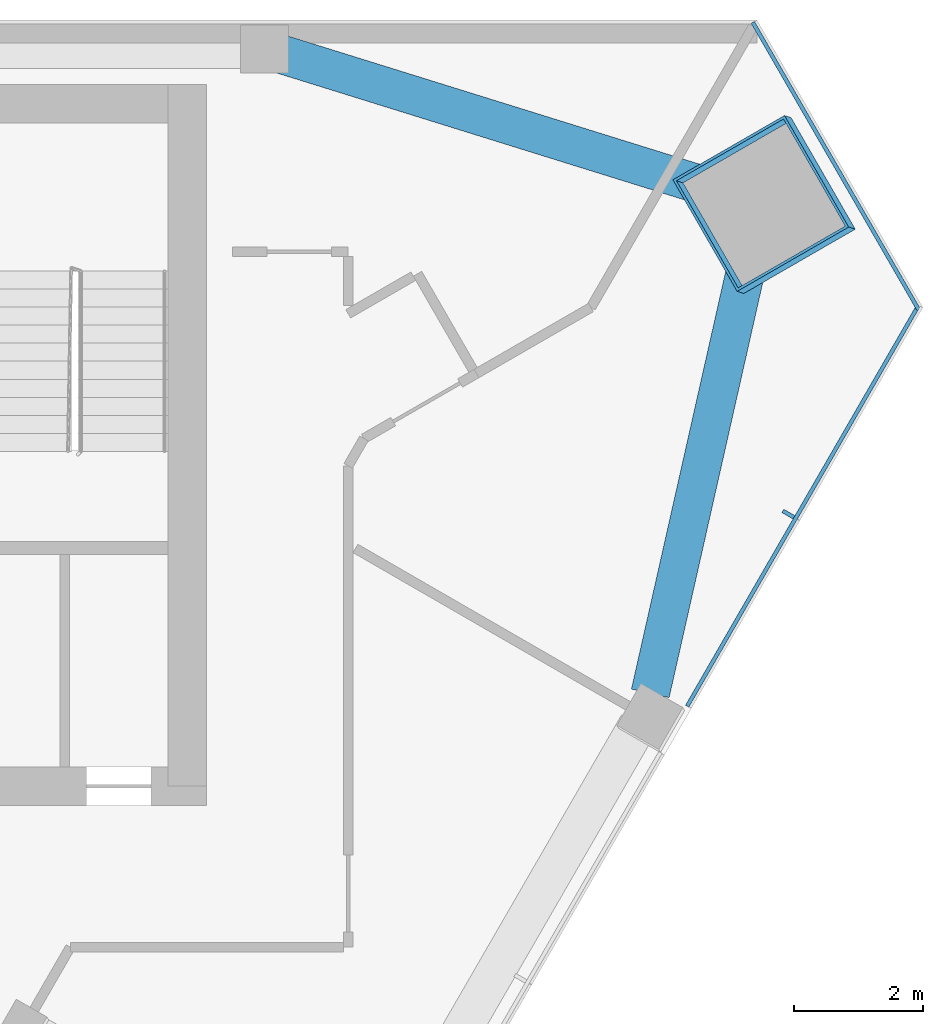
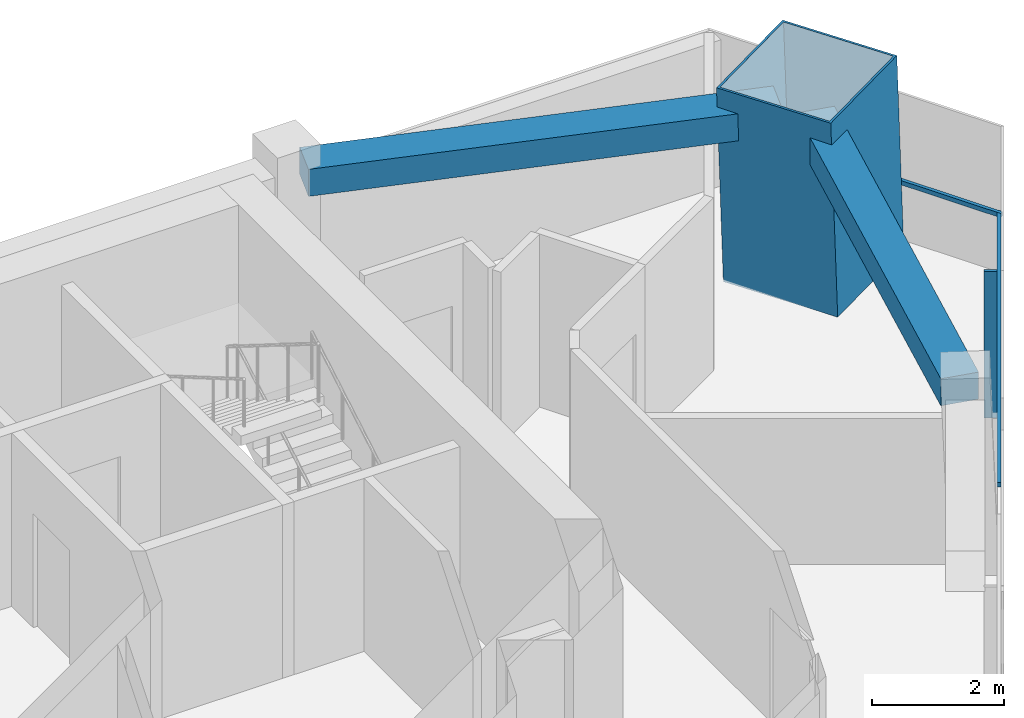
# One storey, part 6 of 12: 4 members, 2 beams, 2 elements without a shape of their own.
"""IFC4 building model written with IfcOpenShell, lengths in metres."""

from ifc_helpers import new_model, si_unit, direction, frame, origin, origin_2d, place, context, subcontext, project, spatial, rectangle, hollow_rectangle, extrude, material, layer, layer_set, material_profile, profile_set, type_object, element, aggregate, save


model = new_model("IFC4")

# Units and contexts
model_context = context("Model", 3, precision=1e-05, world=origin(), true_north=direction((0.0, 1.0)))
body_context = subcontext(model_context, "Body", "Model", "MODEL_VIEW")
ifc_project = project(units=[si_unit("LENGTHUNIT", "METRE"), si_unit("AREAUNIT", "SQUARE_METRE"), si_unit("VOLUMEUNIT", "CUBIC_METRE"), si_unit("PLANEANGLEUNIT", "RADIAN"), si_unit("MASSUNIT", "GRAM", prefix="KILO")], contexts=[model_context])

# Site, building, storey
site_placement = place(None, origin())
site = spatial("IfcSite", under=ifc_project, at=site_placement, CompositionType="ELEMENT")
building_placement = place(site_placement, origin())
building = spatial("IfcBuilding", under=site, at=building_placement, Name="Altiplano Prism Tower", CompositionType="ELEMENT")
storey_placement = place(building_placement, frame((0.0, 0.0, 253.60009765625)))
storey = spatial("IfcBuildingStorey", under=building, at=storey_placement, Name="L65", CompositionType="ELEMENT", Elevation=253.60009765625)

# Curtain wall, members
ifc_material_1 = material(Name="Aluminium and glass", Category="aluminium")
ifc_layer = layer(ifc_material_1, 0.303955078125)
ifc_layer_set = layer_set([ifc_layer], Name="Aluminium and glass")
curtain_wall_type = type_object("IfcCurtainWallType", Name="CW2 lounge-band unitised glazing", PredefinedType="NOTDEFINED", material=ifc_layer_set)
curtain_wall_1_placement = place(storey_placement, origin())
curtain_wall_1 = element("IfcCurtainWall", 1, at=curtain_wall_1_placement, inside=storey, type_object=curtain_wall_type, Name="CW2 curtain wall south-east face L65", PredefinedType="NOTDEFINED")
ifc_material_2 = material(Name="Aluminium", Category="aluminium")
ifc_material_profile_1 = material_profile(ifc_material_2, rectangle(XDim=0.199951171875, YDim=0.06005859375, at=origin_2d()), Name="CW2 mullion 60 x 200")
ifc_profile_set_1 = profile_set([ifc_material_profile_1], Name="Aluminium")
member_type_1 = type_object("IfcMemberType", Name="CW2 mullion 60 x 200", PredefinedType="MULLION", material=ifc_profile_set_1)
member_1_placement = place(storey_placement, frame((106.636962890625, 97.32568359375, 0.0), z_axis=(0.0, 0.0, 1.0), x_axis=(-0.866025402484, 0.500000002252, 0.0)))
member_1 = element("IfcMember", 2, at=member_1_placement, type_object=member_type_1, Name="CW2 mullion", PredefinedType="MULLION", context=body_context, shape_type="SweptSolid", body=[
    extrude(rectangle(XDim=0.199951171875, YDim=0.06005859375, at=origin_2d()), origin(), (0.0, 0.0, 1.0), 2.699951171875),
])
ifc_material_profile_2 = material_profile(ifc_material_2, rectangle(XDim=0.06005859375, YDim=0.080078125, at=origin_2d()), Name="CW2 transom 80 x 60")
ifc_profile_set_2 = profile_set([ifc_material_profile_2], Name="Aluminium")
member_type_2 = type_object("IfcMemberType", Name="CW2 transom 80 x 60", PredefinedType="USERDEFINED", material=ifc_profile_set_2)
member_2_placement = place(storey_placement, frame((105.06494140625, 94.3427734375, 1.099853515625), z_axis=(0.499993717342, 0.866029031049, 0.0), x_axis=(-0.866029031049, 0.499993717342, 0.0)))
member_2 = element("IfcMember", 3, at=member_2_placement, type_object=member_type_2, Name="CW2 transom", ObjectType="TRANSOM", PredefinedType="USERDEFINED", context=body_context, shape_type="SweptSolid", body=[
    extrude(rectangle(XDim=0.06005859375, YDim=0.080078125, at=origin_2d()), origin(), (0.0, 0.0, 1.0), 7.193359375),
])
aggregate(curtain_wall_1, [member_1, member_2])

# Curtain wall, member
curtain_wall_2_placement = place(storey_placement, origin())
curtain_wall_2 = element("IfcCurtainWall", 4, at=curtain_wall_2_placement, inside=storey, type_object=curtain_wall_type, Name="CW2 curtain wall north-east chamfer L65", PredefinedType="NOTDEFINED")
member_3_placement = place(storey_placement, frame((108.66162109375, 100.49853515625, 1.099853515625), z_axis=(-0.500020351761, 0.866013653371, 0.0), x_axis=(-0.866013653371, -0.500020351761, 0.0)))
member_3 = element("IfcMember", 5, at=member_3_placement, type_object=member_type_2, Name="CW2 transom", ObjectType="TRANSOM", PredefinedType="USERDEFINED", context=body_context, shape_type="SweptSolid", body=[
    extrude(rectangle(XDim=0.06005859375, YDim=0.080078125, at=origin_2d()), origin(), (0.0, 0.0, 1.0), 5.155029296875),
])
aggregate(curtain_wall_2, [member_3])

# Beams
ifc_material_3 = material(Name="Concrete C60/75", Category="concrete")
ifc_material_profile_3 = material_profile(ifc_material_3, rectangle(XDim=0.60009765625, YDim=0.5, at=origin_2d()), Name="Edge beam 600x500")
ifc_profile_set_3 = profile_set([ifc_material_profile_3], Name="Concrete C60/75")
beam_type = type_object("IfcBeamType", Name="Edge beam 600x500", PredefinedType="SPANDREL", material=ifc_profile_set_3)
for number, where, z_axis, x_axis, name in (
    (6, (104.491943359375, 94.541748046875, 2.949951171875), (0.220104897393, 0.975476208907, 0.0), (-0.975476208907, 0.220104897393, 0.0), "Edge beam P24-M2 L66"),
    (7, (105.779052734375, 102.284912109375, 2.949951171875), (-0.954836256441, 0.297132501396, 0.0), (-0.297132501396, -0.954836256441, 0.0), "Edge beam M2-P01 L66"),
):
    element("IfcBeam", number, at=place(storey_placement, frame(where, z_axis=z_axis, x_axis=x_axis)), inside=storey, type_object=beam_type, Name=name, PredefinedType="SPANDREL", context=body_context, shape_type="SweptSolid", body=[
        extrude(rectangle(XDim=0.60009765625, YDim=0.5, at=origin_2d()), origin(), (0.0, 0.0, 1.0), 7.3505859375),
    ])

# Member
ifc_material_4 = material(Name="Steel S460", Category="steel")
ifc_material_profile_4 = material_profile(ifc_material_4, hollow_rectangle(XDim=2.0, YDim=2.0, WallThickness=0.0400390625, at=origin_2d()), Name="Mega column tube 2000")
ifc_profile_set_4 = profile_set([ifc_material_profile_4], Name="Steel S460")
member_type_3 = type_object("IfcMemberType", Name="Mega column tube 2000", PredefinedType="POST", material=ifc_profile_set_4)
member_4_placement = place(storey_placement, frame((106.31103515625, 102.11767578125, 0.0), z_axis=(-0.028403721265, 0.009287135593, 0.999553389135), x_axis=(0.498886310803, -0.866382385321, 0.022226364938)))
element("IfcMember", 8, at=member_4_placement, inside=storey, type_object=member_type_3, Name="Mega column tube M2 L65", PredefinedType="POST", context=body_context, shape_type="SweptSolid", body=[
    extrude(hollow_rectangle(XDim=2.0, YDim=2.0, WallThickness=0.0400390625, at=origin_2d()), origin(), (0.0, 0.0, 1.0), 3.6015625),
])

save(model, "model.ifc")
